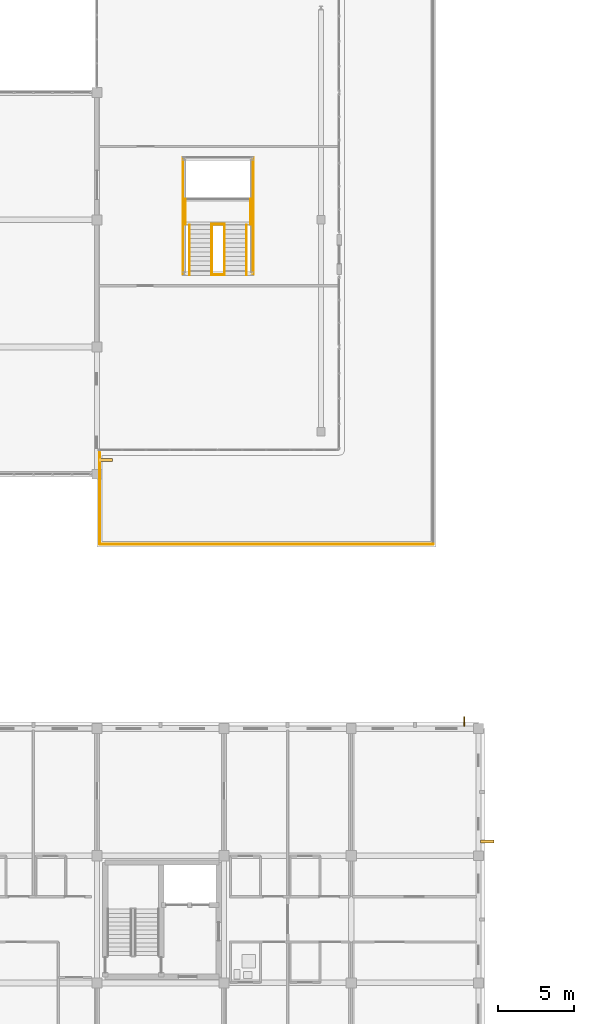
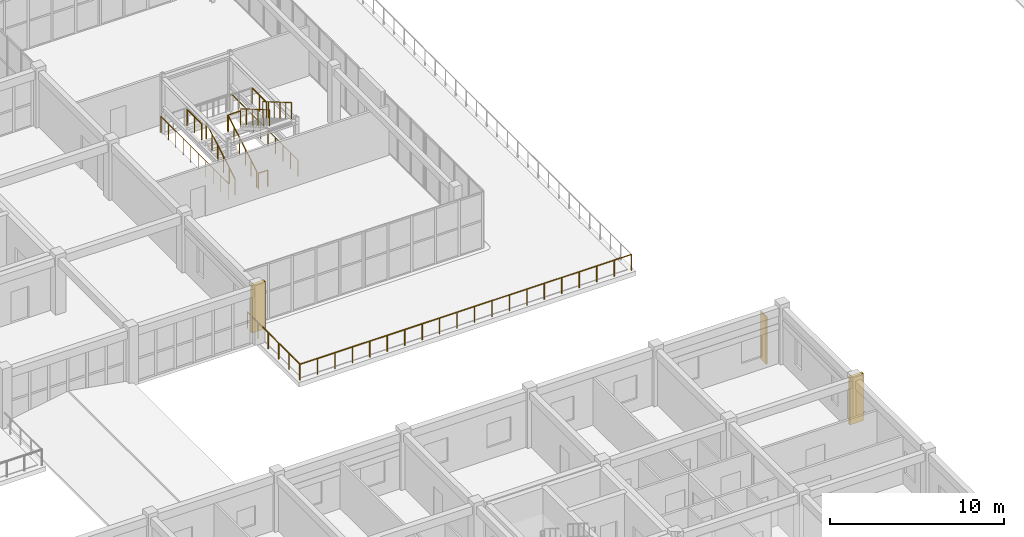
# One storey, part 84 of 90: 12 railings, 3 shading devices.
"""IFC4 building model written with IfcOpenShell, lengths in metres."""

from ifc_helpers import new_model, si_unit, direction, frame, origin, origin_2d, place, context, subcontext, project, spatial, rectangle, circle, extrude, material, type_object, element, save


model = new_model("IFC4")

# Units and contexts
model_context = context("Model", 3, precision=1e-05, world=origin(), true_north=direction((0.0, 1.0)))
body_context = subcontext(model_context, "Body", "Model", "MODEL_VIEW")
ifc_project = project(units=[si_unit("LENGTHUNIT", "METRE"), si_unit("AREAUNIT", "SQUARE_METRE"), si_unit("VOLUMEUNIT", "CUBIC_METRE"), si_unit("PLANEANGLEUNIT", "RADIAN"), si_unit("MASSUNIT", "GRAM", prefix="KILO")], contexts=[model_context])

# Site, building, storey
site_placement = place(None, origin())
site = spatial("IfcSite", under=ifc_project, at=site_placement, CompositionType="ELEMENT")
building_placement = place(site_placement, origin())
building = spatial("IfcBuilding", under=site, at=building_placement, Name="Trelvath General Hospital", CompositionType="ELEMENT")
storey_placement = place(building_placement, frame((0.0, 0.0, 20.39990234375)))
storey = spatial("IfcBuildingStorey", under=building, at=storey_placement, Name="L05", CompositionType="ELEMENT", Elevation=20.39990234375)

# Shading devices
ifc_material_1 = material(Name="Precast concrete C40/50", Category="concrete")
shading_device_type_1 = type_object("IfcShadingDeviceType", Name="BriseSoleil PrecastFin900", PredefinedType="JALOUSIE", material=ifc_material_1)
for number, where, z_axis, x_axis, name in (
    (1, (92.989990234375, 42.94091796875, 0.0), (0.0, 0.0, 1.0), (1.0, 0.0, 0.0), "Solar Brise-Soleil Screen L05-87"),
    (2, (118.18994140625, 17.74072265625, 0.0), (0.0, 0.0, 1.0), (1.0, 0.0, 0.0), "Solar Brise-Soleil Screen L05-90"),
):
    element("IfcShadingDevice", number, at=place(storey_placement, frame(where, z_axis=z_axis, x_axis=x_axis)), inside=storey, type_object=shading_device_type_1, Name=name, PredefinedType="JALOUSIE", context=body_context, shape_type="SweptSolid", body=[
        extrude(rectangle(XDim=0.89990234375, YDim=0.179931640625, at=origin_2d()), origin(), (0.0, 0.0, 1.0), 3.340087890625),
    ])

# Railings
ifc_material_2 = material(Name="Architectural painted steel", Category="steel")
railing_type = type_object("IfcRailingType", Name="Guardrail Terrace1150", PredefinedType="GUARDRAIL", material=ifc_material_2)
railing_1_placement = place(storey_placement, frame((92.580078125, 37.3798828125, 0.0)))
element("IfcRailing", 3, at=railing_1_placement, inside=storey, type_object=railing_type, Name="Cube Terrace Guardrail TERR-CE-U5 1 34", PredefinedType="GUARDRAIL", context=body_context, shape_type="SweptSolid", body=[
    extrude(circle(Radius=0.02392578125, at=origin_2d()), frame((0.0, 0.0, 1.1259765625), z_axis=(1.0, 0.0, 0.0), x_axis=(0.0, 1.0, 0.0)), (0.0, 0.0, 1.0), 22.0400390625),
    extrude(circle(Radius=0.02099609375, at=origin_2d()), origin(), (0.0, 0.0, 1.0), 1.099853515625),
    extrude(circle(Radius=0.02099609375, at=origin_2d()), frame((1.159912109375, 0.0, 0.0)), (0.0, 0.0, 1.0), 1.099853515625),
    extrude(circle(Radius=0.02099609375, at=origin_2d()), frame((2.320068359375, 0.0, 0.0)), (0.0, 0.0, 1.0), 1.099853515625),
    extrude(circle(Radius=0.02099609375, at=origin_2d()), frame((3.47998046875, 0.0, 0.0)), (0.0, 0.0, 1.0), 1.099853515625),
    extrude(circle(Radius=0.02099609375, at=origin_2d()), frame((4.639892578125, 0.0, 0.0)), (0.0, 0.0, 1.0), 1.099853515625),
    extrude(circle(Radius=0.02099609375, at=origin_2d()), frame((5.800048828125, 0.0, 0.0)), (0.0, 0.0, 1.0), 1.099853515625),
    extrude(circle(Radius=0.02099609375, at=origin_2d()), frame((6.9599609375, 0.0, 0.0)), (0.0, 0.0, 1.0), 1.099853515625),
    extrude(circle(Radius=0.02099609375, at=origin_2d()), frame((8.1201171875, 0.0, 0.0)), (0.0, 0.0, 1.0), 1.099853515625),
    extrude(circle(Radius=0.02099609375, at=origin_2d()), frame((9.280029296875, 0.0, 0.0)), (0.0, 0.0, 1.0), 1.099853515625),
    extrude(circle(Radius=0.02099609375, at=origin_2d()), frame((10.43994140625, 0.0, 0.0)), (0.0, 0.0, 1.0), 1.099853515625),
    extrude(circle(Radius=0.02099609375, at=origin_2d()), frame((11.60009765625, 0.0, 0.0)), (0.0, 0.0, 1.0), 1.099853515625),
    extrude(circle(Radius=0.02099609375, at=origin_2d()), frame((12.760009765625, 0.0, 0.0)), (0.0, 0.0, 1.0), 1.099853515625),
    extrude(circle(Radius=0.02099609375, at=origin_2d()), frame((13.919921875, 0.0, 0.0)), (0.0, 0.0, 1.0), 1.099853515625),
    extrude(circle(Radius=0.02099609375, at=origin_2d()), frame((15.080078125, 0.0, 0.0)), (0.0, 0.0, 1.0), 1.099853515625),
    extrude(circle(Radius=0.02099609375, at=origin_2d()), frame((16.239990234375, 0.0, 0.0)), (0.0, 0.0, 1.0), 1.099853515625),
    extrude(circle(Radius=0.02099609375, at=origin_2d()), frame((17.400146484375, 0.0, 0.0)), (0.0, 0.0, 1.0), 1.099853515625),
    extrude(circle(Radius=0.02099609375, at=origin_2d()), frame((18.56005859375, 0.0, 0.0)), (0.0, 0.0, 1.0), 1.099853515625),
    extrude(circle(Radius=0.02099609375, at=origin_2d()), frame((19.719970703125, 0.0, 0.0)), (0.0, 0.0, 1.0), 1.099853515625),
    extrude(circle(Radius=0.02099609375, at=origin_2d()), frame((20.880126953125, 0.0, 0.0)), (0.0, 0.0, 1.0), 1.099853515625),
    extrude(circle(Radius=0.02099609375, at=origin_2d()), frame((22.0400390625, 0.0, 0.0)), (0.0, 0.0, 1.0), 1.099853515625),
])
railing_2_placement = place(storey_placement, frame((92.580078125, 37.43994140625, 0.0)))
element("IfcRailing", 4, at=railing_2_placement, inside=storey, type_object=railing_type, Name="Cube Terrace Guardrail TERR-CE-U5 4 37", PredefinedType="GUARDRAIL", context=body_context, shape_type="SweptSolid", body=[
    extrude(circle(Radius=0.02392578125, at=origin_2d()), frame((0.0, 0.0, 1.1259765625), z_axis=(0.0, 1.0, 0.0), x_axis=(-1.0, 0.0, 0.0)), (0.0, 0.0, 1.0), 5.97998046875),
    extrude(circle(Radius=0.02099609375, at=origin_2d()), origin(), (0.0, 0.0, 1.0), 1.099853515625),
    extrude(circle(Radius=0.02099609375, at=origin_2d()), frame((0.0, 1.196044921875, 0.0)), (0.0, 0.0, 1.0), 1.099853515625),
    extrude(circle(Radius=0.02099609375, at=origin_2d()), frame((0.0, 2.39208984375, 0.0)), (0.0, 0.0, 1.0), 1.099853515625),
    extrude(circle(Radius=0.02099609375, at=origin_2d()), frame((0.0, 3.587890625, 0.0)), (0.0, 0.0, 1.0), 1.099853515625),
    extrude(circle(Radius=0.02099609375, at=origin_2d()), frame((0.0, 4.783935546875, 0.0)), (0.0, 0.0, 1.0), 1.099853515625),
    extrude(circle(Radius=0.02099609375, at=origin_2d()), frame((0.0, 5.97998046875, 0.0)), (0.0, 0.0, 1.0), 1.099853515625),
])
for number, where, name in (
    (5, (98.52001953125, 55.169921875, 0.175048828125), "Cube Stair Flight Guard ST10 L05 347"),
    (6, (99.97998046875, 55.169921875, 0.175048828125), "Cube Stair Flight Guard ST10 L05 348"),
):
    element("IfcRailing", number, at=place(storey_placement, frame(where)), inside=storey, type_object=railing_type, Name=name, PredefinedType="GUARDRAIL", context=body_context, shape_type="SweptSolid", body=[
        extrude(circle(Radius=0.02392578125, at=origin_2d()), frame((0.0, 0.0, 1.1259765625), z_axis=(0.0, 0.863776583165, 0.503874998761), x_axis=(-1.0, 0.0, 0.0)), (0.0, 0.0, 1.0), 3.820556640625),
        extrude(circle(Radius=0.02099609375, at=origin_2d()), origin(), (0.0, 0.0, 1.0), 1.099853515625),
        extrude(circle(Radius=0.02099609375, at=origin_2d()), frame((0.0, 0.659912109375, 0.385009765625)), (0.0, 0.0, 1.0), 1.099853515625),
        extrude(circle(Radius=0.02099609375, at=origin_2d()), frame((0.0, 1.320068359375, 0.77001953125)), (0.0, 0.0, 1.0), 1.099853515625),
        extrude(circle(Radius=0.02099609375, at=origin_2d()), frame((0.0, 1.97998046875, 1.155029296875)), (0.0, 0.0, 1.0), 1.099853515625),
        extrude(circle(Radius=0.02099609375, at=origin_2d()), frame((0.0, 2.64013671875, 1.5400390625)), (0.0, 0.0, 1.0), 1.099853515625),
        extrude(circle(Radius=0.02099609375, at=origin_2d()), frame((0.0, 3.300048828125, 1.925048828125)), (0.0, 0.0, 1.0), 1.099853515625),
    ])
for number, where, name in (
    (7, (100.820068359375, 58.469970703125, 2.275146484375), "Cube Stair Flight Guard ST10 L05 349"),
    (8, (102.280029296875, 58.469970703125, 2.275146484375), "Cube Stair Flight Guard ST10 L05 350"),
):
    element("IfcRailing", number, at=place(storey_placement, frame(where)), inside=storey, type_object=railing_type, Name=name, PredefinedType="GUARDRAIL", context=body_context, shape_type="SweptSolid", body=[
        extrude(circle(Radius=0.02392578125, at=origin_2d()), frame((0.0, 0.0, 1.1259765625), z_axis=(0.0, -0.863776583165, 0.503874998761), x_axis=(1.0, 0.0, 0.0)), (0.0, 0.0, 1.0), 3.820556640625),
        extrude(circle(Radius=0.02099609375, at=origin_2d()), origin(), (0.0, 0.0, 1.0), 1.099853515625),
        extrude(circle(Radius=0.02099609375, at=origin_2d()), frame((0.0, -0.659912109375, 0.385009765625)), (0.0, 0.0, 1.0), 1.099853515625),
        extrude(circle(Radius=0.02099609375, at=origin_2d()), frame((0.0, -1.320068359375, 0.77001953125)), (0.0, 0.0, 1.0), 1.099853515625),
        extrude(circle(Radius=0.02099609375, at=origin_2d()), frame((0.0, -1.97998046875, 1.155029296875)), (0.0, 0.0, 1.0), 1.099853515625),
        extrude(circle(Radius=0.02099609375, at=origin_2d()), frame((0.0, -2.64013671875, 1.5400390625)), (0.0, 0.0, 1.0), 1.099853515625),
        extrude(circle(Radius=0.02099609375, at=origin_2d()), frame((0.0, -3.300048828125, 1.925048828125)), (0.0, 0.0, 1.0), 1.099853515625),
    ])
for number, where, name in (
    (9, (98.239990234375, 58.510009765625, 2.10009765625), "Cube Half-Landing Guard W ST10 L05 351"),
    (10, (102.56005859375, 58.510009765625, 2.10009765625), "Cube Half-Landing Guard E ST10 L05 353"),
):
    element("IfcRailing", number, at=place(storey_placement, frame(where)), inside=storey, type_object=railing_type, Name=name, PredefinedType="GUARDRAIL", context=body_context, shape_type="SweptSolid", body=[
        extrude(circle(Radius=0.02392578125, at=origin_2d()), frame((0.0, 0.0, 1.1259765625), z_axis=(0.0, 1.0, 0.0), x_axis=(-1.0, 0.0, 0.0)), (0.0, 0.0, 1.0), 1.669921875),
        extrude(circle(Radius=0.02099609375, at=origin_2d()), origin(), (0.0, 0.0, 1.0), 1.099853515625),
        extrude(circle(Radius=0.02099609375, at=origin_2d()), frame((0.0, 0.8349609375, 0.0)), (0.0, 0.0, 1.0), 1.099853515625),
        extrude(circle(Radius=0.02099609375, at=origin_2d()), frame((0.0, 1.669921875, 0.0)), (0.0, 0.0, 1.0), 1.099853515625),
    ])
railing_3_placement = place(storey_placement, frame((99.97998046875, 58.510009765625, 2.10009765625)))
element("IfcRailing", 11, at=railing_3_placement, inside=storey, type_object=railing_type, Name="Cube Half-Landing Slot Guard ST10 L05 354", PredefinedType="GUARDRAIL", context=body_context, shape_type="SweptSolid", body=[
    extrude(circle(Radius=0.02392578125, at=origin_2d()), frame((0.0, 0.0, 1.1259765625), z_axis=(1.0, 0.0, 0.0), x_axis=(0.0, 1.0, 0.0)), (0.0, 0.0, 1.0), 0.840087890625),
    extrude(circle(Radius=0.02099609375, at=origin_2d()), origin(), (0.0, 0.0, 1.0), 1.099853515625),
    extrude(circle(Radius=0.02099609375, at=origin_2d()), frame((0.840087890625, 0.0, 0.0)), (0.0, 0.0, 1.0), 1.099853515625),
])
for number, where, name in (
    (12, (98.080078125, 55.179931640625, 0.0), "Atrium Guard W CUBE-E-T2 L05 391"),
    (13, (102.719970703125, 55.179931640625, 0.0), "Atrium Guard E CUBE-E-T2 L05 393"),
):
    element("IfcRailing", number, at=place(storey_placement, frame(where)), inside=storey, type_object=railing_type, Name=name, PredefinedType="GUARDRAIL", context=body_context, shape_type="SweptSolid", body=[
        extrude(circle(Radius=0.02392578125, at=origin_2d()), frame((0.0, 0.0, 1.1259765625), z_axis=(0.0, 1.0, 0.0), x_axis=(-1.0, 0.0, 0.0)), (0.0, 0.0, 1.0), 7.739990234375),
        extrude(circle(Radius=0.02099609375, at=origin_2d()), origin(), (0.0, 0.0, 1.0), 1.099853515625),
        extrude(circle(Radius=0.02099609375, at=origin_2d()), frame((0.0, 0.860107421875, 0.0)), (0.0, 0.0, 1.0), 1.099853515625),
        extrude(circle(Radius=0.02099609375, at=origin_2d()), frame((0.0, 1.719970703125, 0.0)), (0.0, 0.0, 1.0), 1.099853515625),
        extrude(circle(Radius=0.02099609375, at=origin_2d()), frame((0.0, 2.580078125, 0.0)), (0.0, 0.0, 1.0), 1.099853515625),
        extrude(circle(Radius=0.02099609375, at=origin_2d()), frame((0.0, 3.43994140625, 0.0)), (0.0, 0.0, 1.0), 1.099853515625),
        extrude(circle(Radius=0.02099609375, at=origin_2d()), frame((0.0, 4.300048828125, 0.0)), (0.0, 0.0, 1.0), 1.099853515625),
        extrude(circle(Radius=0.02099609375, at=origin_2d()), frame((0.0, 5.159912109375, 0.0)), (0.0, 0.0, 1.0), 1.099853515625),
        extrude(circle(Radius=0.02099609375, at=origin_2d()), frame((0.0, 6.02001953125, 0.0)), (0.0, 0.0, 1.0), 1.099853515625),
        extrude(circle(Radius=0.02099609375, at=origin_2d()), frame((0.0, 6.8798828125, 0.0)), (0.0, 0.0, 1.0), 1.099853515625),
        extrude(circle(Radius=0.02099609375, at=origin_2d()), frame((0.0, 7.739990234375, 0.0)), (0.0, 0.0, 1.0), 1.099853515625),
    ])
railing_4_placement = place(storey_placement, frame((100.090087890625, 55.179931640625, 0.0)))
element("IfcRailing", 14, at=railing_4_placement, inside=storey, type_object=railing_type, Name="Atrium Mid-Slot Guard S CUBE-E-T2 L05 394", PredefinedType="GUARDRAIL", context=body_context, shape_type="SweptSolid", body=[
    extrude(circle(Radius=0.02392578125, at=origin_2d()), frame((0.0, 0.0, 1.1259765625), z_axis=(1.0, 0.0, 0.0), x_axis=(0.0, 1.0, 0.0)), (0.0, 0.0, 1.0), 0.619873046875),
    extrude(circle(Radius=0.02099609375, at=origin_2d()), origin(), (0.0, 0.0, 1.0), 1.099853515625),
    extrude(circle(Radius=0.02099609375, at=origin_2d()), frame((0.619873046875, 0.0, 0.0)), (0.0, 0.0, 1.0), 1.099853515625),
])

# Shading device
ifc_material_3 = material(Name="Anodised aluminium", Category="aluminium")
shading_device_type_2 = type_object("IfcShadingDeviceType", Name="SolarScreen PerforatedAlu", PredefinedType="JALOUSIE", material=ifc_material_3)
shading_device_placement = place(storey_placement, frame((116.6591796875, 25.6650390625, 0.0), z_axis=(0.0, 0.0, 1.0), x_axis=(0.0, 1.0, 0.0)))
element("IfcShadingDevice", 15, at=shading_device_placement, inside=storey, type_object=shading_device_type_2, Name="Solar Brise-Soleil Screen L05-89", PredefinedType="JALOUSIE", context=body_context, shape_type="SweptSolid", body=[
    extrude(rectangle(XDim=0.64990234375, YDim=0.080078125, at=origin_2d()), origin(), (0.0, 0.0, 1.0), 3.340087890625),
])

save(model, "model.ifc")
